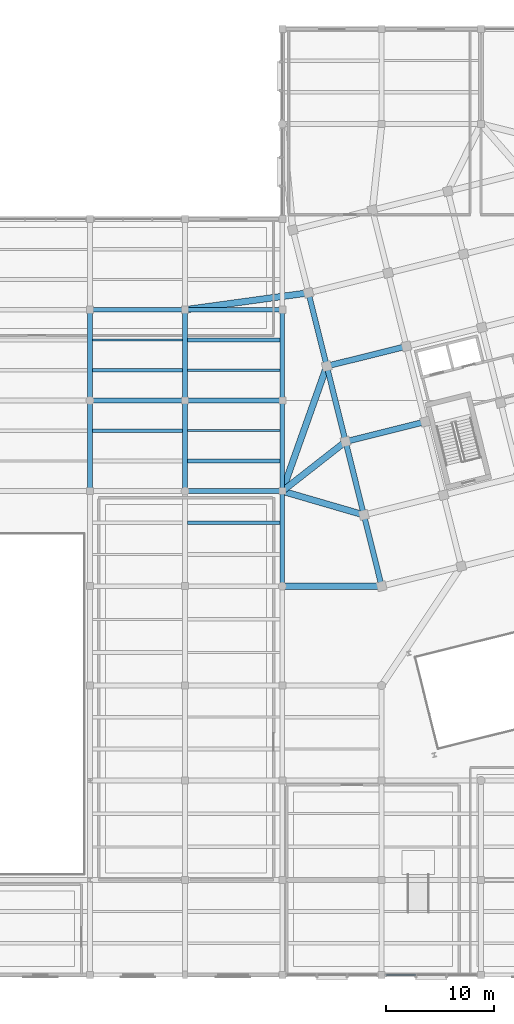
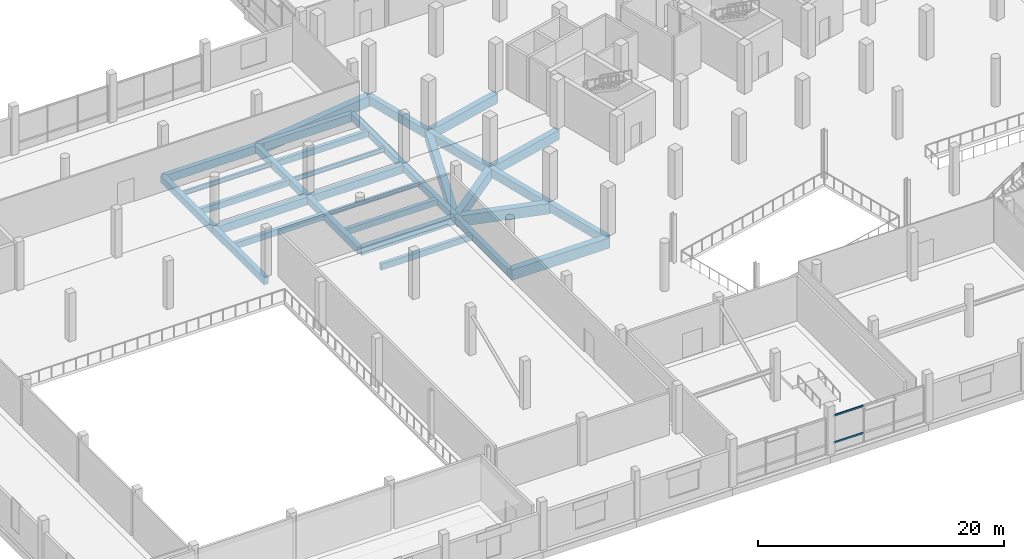
# One storey, part 13 of 71: 31 beams, 2 members, 1 element without a shape of its own.
"""IFC4 building model written with IfcOpenShell, lengths in metres."""

from ifc_helpers import new_model, si_unit, direction, frame, origin, origin_2d, place, context, subcontext, project, spatial, rectangle, hollow_rectangle, i_section, extrude, material, layer, layer_set, material_profile, profile_set, type_object, element, aggregate, save


model = new_model("IFC4")

# Units and contexts
model_context = context("Model", 3, precision=1e-05, world=origin(), true_north=direction((0.0, 1.0)))
body_context = subcontext(model_context, "Body", "Model", "MODEL_VIEW")
ifc_project = project(units=[si_unit("LENGTHUNIT", "METRE"), si_unit("AREAUNIT", "SQUARE_METRE"), si_unit("VOLUMEUNIT", "CUBIC_METRE"), si_unit("PLANEANGLEUNIT", "RADIAN"), si_unit("MASSUNIT", "GRAM", prefix="KILO")], contexts=[model_context])

# Site, building, storey
site_placement = place(None, origin())
site = spatial("IfcSite", under=ifc_project, at=site_placement, CompositionType="ELEMENT")
building_placement = place(site_placement, origin())
building = spatial("IfcBuilding", under=site, at=building_placement, Name="Meriwether Solvik Hall", CompositionType="ELEMENT")
storey_placement = place(building_placement, frame((0.0, 0.0, 5.10009765625)))
storey = spatial("IfcBuildingStorey", under=building, at=storey_placement, Name="L01", CompositionType="ELEMENT", Elevation=5.10009765625)

# Beams
ifc_material_1 = material(Name="Concrete C40/50", Category="concrete")
ifc_material_profile_1 = material_profile(ifc_material_1, rectangle(XDim=0.35009765625, YDim=0.60009765625, at=origin_2d()), Name="RCB-350X600")
ifc_profile_set_1 = profile_set([ifc_material_profile_1], Name="Concrete C40/50")
beam_type_1 = type_object("IfcBeamType", Name="BM-RC-350X600", PredefinedType="JOIST", material=ifc_profile_set_1)
for number, where, z_axis, x_axis, name in (
    (1, (41.820068359375, 55.60009765625, -0.60009765625), (1.0, 0.0, 0.0), (0.0, 1.0, 0.0), "Secondary Floor Joist 5/F_J2 (L01)"),
    (2, (41.820068359375, 61.199951171875, -0.60009765625), (1.0, 0.0, 0.0), (0.0, 1.0, 0.0), "Secondary Floor Joist 5/G_J1 (L01)"),
):
    element("IfcBeam", number, at=place(storey_placement, frame(where, z_axis=z_axis, x_axis=x_axis)), inside=storey, type_object=beam_type_1, Name=name, PredefinedType="JOIST", context=body_context, shape_type="SweptSolid", body=[
        extrude(rectangle(XDim=0.35009765625, YDim=0.60009765625, at=origin_2d()), origin(), (0.0, 0.0, 1.0), 8.35986328125),
    ])
for number, where, z_axis, x_axis, name in (
    (3, (50.6201171875, 47.066650390625, -0.60009765625), (1.0, 0.0, 0.0), (0.0, 1.0, 0.0), "Secondary Floor Joist 6/E_J2 (L01)"),
    (4, (50.6201171875, 52.800048828125, -0.60009765625), (1.0, 0.0, 0.0), (0.0, 1.0, 0.0), "Secondary Floor Joist 6/F_J1 (L01)"),
    (5, (50.6201171875, 64.0, -0.60009765625), (1.0, 0.0, 0.0), (0.0, 1.0, 0.0), "Secondary Floor Joist 6/G_J2 (L01)"),
):
    element("IfcBeam", number, at=place(storey_placement, frame(where, z_axis=z_axis, x_axis=x_axis)), inside=storey, type_object=beam_type_1, Name=name, PredefinedType="JOIST", context=body_context, shape_type="SweptSolid", body=[
        extrude(rectangle(XDim=0.35009765625, YDim=0.60009765625, at=origin_2d()), origin(), (0.0, 0.0, 1.0), 8.559814453125),
    ])
ifc_material_2 = material(Name="Concrete C40/50", Category="concrete")
ifc_material_profile_2 = material_profile(ifc_material_2, rectangle(XDim=0.449951171875, YDim=0.699951171875, at=origin_2d()), Name="RCB-450X700")
ifc_profile_set_2 = profile_set([ifc_material_profile_2], Name="Concrete C40/50")
beam_type_2 = type_object("IfcBeamType", Name="BM-RC-450X700", PredefinedType="BEAM", material=ifc_profile_set_2)
beam_1_placement = place(storey_placement, frame((41.60009765625, 50.0, -0.650146484375), z_axis=(0.0, 1.0, 0.0), x_axis=(-1.0, 0.0, 0.0)))
element("IfcBeam", 6, at=beam_1_placement, inside=storey, type_object=beam_type_2, Name="Podium Girder 5:F-G (L01)", PredefinedType="BEAM", context=body_context, shape_type="SweptSolid", body=[
    extrude(rectangle(XDim=0.449951171875, YDim=0.699951171875, at=origin_2d()), origin(), (0.0, 0.0, 1.0), 8.39990234375),
])
beam_2_placement = place(storey_placement, frame((41.60009765625, 58.39990234375, -0.650146484375), z_axis=(0.0, 1.0, 0.0), x_axis=(-1.0, 0.0, 0.0)))
element("IfcBeam", 7, at=beam_2_placement, inside=storey, type_object=beam_type_2, Name="Podium Girder 5:G-H (L01)", PredefinedType="BEAM", context=body_context, shape_type="SweptSolid", body=[
    extrude(rectangle(XDim=0.449951171875, YDim=0.699951171875, at=origin_2d()), origin(), (0.0, 0.0, 1.0), 8.400146484375),
])
beam_3_placement = place(storey_placement, frame((50.39990234375, 50.0, -0.650146484375), z_axis=(0.0, 1.0, 0.0), x_axis=(-1.0, 0.0, 0.0)))
element("IfcBeam", 8, at=beam_3_placement, inside=storey, type_object=beam_type_2, Name="Podium Girder 6:F-G (L01)", PredefinedType="BEAM", context=body_context, shape_type="SweptSolid", body=[
    extrude(rectangle(XDim=0.449951171875, YDim=0.699951171875, at=origin_2d()), origin(), (0.0, 0.0, 1.0), 8.39990234375),
])
beam_4_placement = place(storey_placement, frame((50.39990234375, 58.39990234375, -0.650146484375), z_axis=(0.0, 1.0, 0.0), x_axis=(-1.0, 0.0, 0.0)))
element("IfcBeam", 9, at=beam_4_placement, inside=storey, type_object=beam_type_2, Name="Podium Girder 6:G-H (L01)", PredefinedType="BEAM", context=body_context, shape_type="SweptSolid", body=[
    extrude(rectangle(XDim=0.449951171875, YDim=0.699951171875, at=origin_2d()), origin(), (0.0, 0.0, 1.0), 8.400146484375),
])
beam_5_placement = place(storey_placement, frame((59.39990234375, 41.199951171875, -0.650146484375), z_axis=(0.0, 1.0, 0.0), x_axis=(-1.0, 0.0, 0.0)))
element("IfcBeam", 10, at=beam_5_placement, inside=storey, type_object=beam_type_2, Name="Podium Girder 7:E-F (L01)", PredefinedType="BEAM", context=body_context, shape_type="SweptSolid", body=[
    extrude(rectangle(XDim=0.449951171875, YDim=0.699951171875, at=origin_2d()), origin(), (0.0, 0.0, 1.0), 8.800048828125),
])
beam_6_placement = place(storey_placement, frame((59.39990234375, 50.0, -0.650146484375), z_axis=(0.0, 1.0, 0.0), x_axis=(-1.0, 0.0, 0.0)))
element("IfcBeam", 11, at=beam_6_placement, inside=storey, type_object=beam_type_2, Name="Podium Girder 7:F-G (L01)", PredefinedType="BEAM", context=body_context, shape_type="SweptSolid", body=[
    extrude(rectangle(XDim=0.449951171875, YDim=0.699951171875, at=origin_2d()), origin(), (0.0, 0.0, 1.0), 8.39990234375),
])
beam_7_placement = place(storey_placement, frame((59.39990234375, 58.39990234375, -0.650146484375), z_axis=(0.0, 1.0, 0.0), x_axis=(-1.0, 0.0, 0.0)))
element("IfcBeam", 12, at=beam_7_placement, inside=storey, type_object=beam_type_2, Name="Podium Girder 7:G-H (L01)", PredefinedType="BEAM", context=body_context, shape_type="SweptSolid", body=[
    extrude(rectangle(XDim=0.449951171875, YDim=0.699951171875, at=origin_2d()), origin(), (0.0, 0.0, 1.0), 8.400146484375),
])
ifc_material_3 = material(Name="Concrete C40/50", Category="concrete")
ifc_material_profile_3 = material_profile(ifc_material_3, rectangle(XDim=0.449951171875, YDim=0.800048828125, at=origin_2d()), Name="RCB-450X800")
ifc_profile_set_3 = profile_set([ifc_material_profile_3], Name="Concrete C40/50")
beam_type_3 = type_object("IfcBeamType", Name="BM-RC-450X800", PredefinedType="BEAM", material=ifc_profile_set_3)
beam_8_placement = place(storey_placement, frame((50.39990234375, 50.0, -0.7001953125), z_axis=(1.0, 0.0, 0.0), x_axis=(0.0, 1.0, 0.0)))
element("IfcBeam", 13, at=beam_8_placement, inside=storey, type_object=beam_type_3, Name="Podium Girder F:6-7 (L01)", PredefinedType="BEAM", context=body_context, shape_type="SweptSolid", body=[
    extrude(rectangle(XDim=0.449951171875, YDim=0.800048828125, at=origin_2d()), origin(), (0.0, 0.0, 1.0), 9.0),
])
beam_9_placement = place(storey_placement, frame((41.60009765625, 58.39990234375, -0.7001953125), z_axis=(1.0, 0.0, 0.0), x_axis=(0.0, 1.0, 0.0)))
element("IfcBeam", 14, at=beam_9_placement, inside=storey, type_object=beam_type_3, Name="Podium Girder G:5-6 (L01)", PredefinedType="BEAM", context=body_context, shape_type="SweptSolid", body=[
    extrude(rectangle(XDim=0.449951171875, YDim=0.800048828125, at=origin_2d()), origin(), (0.0, 0.0, 1.0), 8.7998046875),
])
beam_10_placement = place(storey_placement, frame((50.39990234375, 58.39990234375, -0.7001953125), z_axis=(1.0, 0.0, 0.0), x_axis=(0.0, 1.0, 0.0)))
element("IfcBeam", 15, at=beam_10_placement, inside=storey, type_object=beam_type_3, Name="Podium Girder G:6-7 (L01)", PredefinedType="BEAM", context=body_context, shape_type="SweptSolid", body=[
    extrude(rectangle(XDim=0.449951171875, YDim=0.800048828125, at=origin_2d()), origin(), (0.0, 0.0, 1.0), 9.0),
])
beam_11_placement = place(storey_placement, frame((41.60009765625, 66.800048828125, -0.7001953125), z_axis=(1.0, 0.0, 0.0), x_axis=(0.0, 1.0, 0.0)))
element("IfcBeam", 16, at=beam_11_placement, inside=storey, type_object=beam_type_3, Name="Podium Girder H:5-6 (L01)", PredefinedType="BEAM", context=body_context, shape_type="SweptSolid", body=[
    extrude(rectangle(XDim=0.449951171875, YDim=0.800048828125, at=origin_2d()), origin(), (0.0, 0.0, 1.0), 8.7998046875),
])
beam_12_placement = place(storey_placement, frame((50.39990234375, 66.800048828125, -0.7001953125), z_axis=(1.0, 0.0, 0.0), x_axis=(0.0, 1.0, 0.0)))
element("IfcBeam", 17, at=beam_12_placement, inside=storey, type_object=beam_type_3, Name="Podium Girder H:6-7 (L01)", PredefinedType="BEAM", context=body_context, shape_type="SweptSolid", body=[
    extrude(rectangle(XDim=0.449951171875, YDim=0.800048828125, at=origin_2d()), origin(), (0.0, 0.0, 1.0), 9.0),
])
ifc_material_4 = material(Name="Concrete C40/50", Category="concrete")
ifc_material_profile_4 = material_profile(ifc_material_4, rectangle(XDim=0.5, YDim=0.85009765625, at=origin_2d()), Name="RCB-500X850")
ifc_profile_set_4 = profile_set([ifc_material_profile_4], Name="Concrete C40/50")
beam_type_4 = type_object("IfcBeamType", Name="BM-RC-500X850", PredefinedType="BEAM", material=ifc_profile_set_4)
beam_13_placement = place(storey_placement, frame((68.60009765625, 41.199951171875, -0.72509765625), z_axis=(-0.241944251278, 0.970290152106, 0.0), x_axis=(-0.970290152106, -0.241944251278, 0.0)))
element("IfcBeam", 18, at=beam_13_placement, inside=storey, type_object=beam_type_4, Name="Tower Girder T1:TA-TB (L01)", PredefinedType="BEAM", context=body_context, shape_type="SweptSolid", body=[
    extrude(rectangle(XDim=0.5, YDim=0.85009765625, at=origin_2d()), origin(), (0.0, 0.0, 1.0), 6.80029296875),
])
beam_14_placement = place(storey_placement, frame((66.954833984375, 47.798095703125, -0.72509765625), z_axis=(-0.241911879182, 0.970298223594, 0.0), x_axis=(-0.970298223594, -0.241911879182, 0.0)))
element("IfcBeam", 19, at=beam_14_placement, inside=storey, type_object=beam_type_4, Name="Tower Girder T1:TB-TC (L01)", PredefinedType="BEAM", context=body_context, shape_type="SweptSolid", body=[
    extrude(rectangle(XDim=0.5, YDim=0.85009765625, at=origin_2d()), origin(), (0.0, 0.0, 1.0), 7.0),
])
beam_15_placement = place(storey_placement, frame((65.261474609375, 54.590087890625, -0.72509765625), z_axis=(-0.241937193493, 0.970291911955, 0.0), x_axis=(-0.970291911955, -0.241937193493, 0.0)))
element("IfcBeam", 20, at=beam_15_placement, inside=storey, type_object=beam_type_4, Name="Tower Girder T1:TC-TD (L01)", PredefinedType="BEAM", context=body_context, shape_type="SweptSolid", body=[
    extrude(rectangle(XDim=0.5, YDim=0.85009765625, at=origin_2d()), origin(), (0.0, 0.0, 1.0), 7.199951171875),
])
beam_16_placement = place(storey_placement, frame((63.51953125, 61.576171875, -0.72509765625), z_axis=(-0.241911879182, 0.970298223594, 0.0), x_axis=(-0.970298223594, -0.241911879182, 0.0)))
element("IfcBeam", 21, at=beam_16_placement, inside=storey, type_object=beam_type_4, Name="Tower Girder T1:TD-TE (L01)", PredefinedType="BEAM", context=body_context, shape_type="SweptSolid", body=[
    extrude(rectangle(XDim=0.5, YDim=0.85009765625, at=origin_2d()), origin(), (0.0, 0.0, 1.0), 7.0),
])
ifc_material_5 = material(Name="Concrete C40/50", Category="concrete")
ifc_material_profile_5 = material_profile(ifc_material_5, rectangle(XDim=0.550048828125, YDim=0.949951171875, at=origin_2d()), Name="RCB-550X950")
ifc_profile_set_5 = profile_set([ifc_material_profile_5], Name="Concrete C40/50")
beam_type_5 = type_object("IfcBeamType", Name="BM-RC-550X950", PredefinedType="BEAM", material=ifc_profile_set_5)
for number, where, z_axis, x_axis, name in (
    (22, (65.261474609375, 54.590087890625, -0.775146484375), (0.970295366785, 0.241923337436, 0.0), (-0.241923337436, 0.970295366785, 0.0), "Tower Girder TC:T1-T2 (L01)"),
    (23, (63.51953125, 61.576171875, -0.775146484375), (0.970295366785, 0.241923337436, 0.0), (-0.241923337436, 0.970295366785, 0.0), "Tower Girder TD:T1-T2 (L01)"),
):
    element("IfcBeam", number, at=place(storey_placement, frame(where, z_axis=z_axis, x_axis=x_axis)), inside=storey, type_object=beam_type_5, Name=name, PredefinedType="BEAM", context=body_context, shape_type="SweptSolid", body=[
        extrude(rectangle(XDim=0.550048828125, YDim=0.949951171875, at=origin_2d()), origin(), (0.0, 0.0, 1.0), 7.60009765625),
    ])
ifc_material_6 = material(Name="Concrete C40/50", Category="concrete")
ifc_material_profile_6 = material_profile(ifc_material_6, rectangle(XDim=0.60009765625, YDim=1.050048828125, at=origin_2d()), Name="RCB-600X1050")
ifc_profile_set_6 = profile_set([ifc_material_profile_6], Name="Concrete C40/50")
beam_type_6 = type_object("IfcBeamType", Name="BM-RC-600X1050", PredefinedType="BEAM", material=ifc_profile_set_6)
beam_17_placement = place(storey_placement, frame((68.60009765625, 41.199951171875, -0.8251953125), z_axis=(-1.0, 0.0, 0.0), x_axis=(0.0, -1.0, 0.0)))
element("IfcBeam", 24, at=beam_17_placement, inside=storey, type_object=beam_type_6, Name="Diaphragm Collector Girder T1/TA-7/E (L01)", PredefinedType="BEAM", context=body_context, shape_type="SweptSolid", body=[
    extrude(rectangle(XDim=0.60009765625, YDim=1.050048828125, at=origin_2d()), origin(), (0.0, 0.0, 1.0), 9.2001953125),
])
beam_18_placement = place(storey_placement, frame((66.954833984375, 47.798095703125, -0.8251953125), z_axis=(-0.960055229861, 0.279810570952, 0.0), x_axis=(-0.279810570952, -0.960055229861, 0.0)))
element("IfcBeam", 25, at=beam_18_placement, inside=storey, type_object=beam_type_6, Name="Diaphragm Collector Girder T1/TB-7/F (L01)", PredefinedType="BEAM", context=body_context, shape_type="SweptSolid", body=[
    extrude(rectangle(XDim=0.60009765625, YDim=1.050048828125, at=origin_2d()), origin(), (0.0, 0.0, 1.0), 7.869384765625),
])
beam_19_placement = place(storey_placement, frame((65.261474609375, 54.590087890625, -0.8251953125), z_axis=(-0.787324356442, -0.616539015597, 0.0), x_axis=(0.616539015597, -0.787324356442, 0.0)))
element("IfcBeam", 26, at=beam_19_placement, inside=storey, type_object=beam_type_6, Name="Diaphragm Collector Girder T1/TC-7/F (L01)", PredefinedType="BEAM", context=body_context, shape_type="SweptSolid", body=[
    extrude(rectangle(XDim=0.60009765625, YDim=1.050048828125, at=origin_2d()), origin(), (0.0, 0.0, 1.0), 7.44482421875),
])
beam_20_placement = place(storey_placement, frame((63.51953125, 61.576171875, -0.8251953125), z_axis=(-0.335273852022, -0.942120716337, 0.0), x_axis=(0.942120716337, -0.335273852022, 0.0)))
element("IfcBeam", 27, at=beam_20_placement, inside=storey, type_object=beam_type_6, Name="Diaphragm Collector Girder T1/TD-7/F (L01)", PredefinedType="BEAM", context=body_context, shape_type="SweptSolid", body=[
    extrude(rectangle(XDim=0.60009765625, YDim=1.050048828125, at=origin_2d()), origin(), (0.0, 0.0, 1.0), 12.287353515625),
])
beam_21_placement = place(storey_placement, frame((61.826171875, 68.3681640625, -0.8251953125), z_axis=(-0.990713872019, -0.135963317806, 0.0), x_axis=(0.135963317806, -0.990713872019, 0.0)))
element("IfcBeam", 28, at=beam_21_placement, inside=storey, type_object=beam_type_6, Name="Diaphragm Collector Girder T1/TE-6/H (L01)", PredefinedType="BEAM", context=body_context, shape_type="SweptSolid", body=[
    extrude(rectangle(XDim=0.60009765625, YDim=1.050048828125, at=origin_2d()), origin(), (0.0, 0.0, 1.0), 11.533447265625),
])
ifc_material_7 = material(Name="Steel A992 Grade 50", Category="steel")
ifc_material_profile_7 = material_profile(ifc_material_7, i_section(OverallWidth=0.19091796875, OverallDepth=0.45703125, WebThickness=0.009033203125, FlangeThickness=0.014404296875, at=origin_2d()), Name="W18X50")
ifc_profile_set_7 = profile_set([ifc_material_profile_7], Name="Steel A992 Grade 50")
beam_type_7 = type_object("IfcBeamType", Name="BM-STL-W18X50", PredefinedType="JOIST", material=ifc_profile_set_7)
beam_22_placement = place(storey_placement, frame((41.820068359375, 64.0, -0.528564453125), z_axis=(1.0, 0.0, 0.0), x_axis=(0.0, 1.0, 0.0)))
element("IfcBeam", 29, at=beam_22_placement, inside=storey, type_object=beam_type_7, Name="Secondary Floor Joist 5/G_J2 (L01)", PredefinedType="JOIST", context=body_context, shape_type="SweptSolid", body=[
    extrude(i_section(OverallWidth=0.19091796875, OverallDepth=0.45703125, WebThickness=0.009033203125, FlangeThickness=0.014404296875, at=origin_2d()), origin(), (0.0, 0.0, 1.0), 8.35986328125),
])
for number, where, z_axis, x_axis, name in (
    (30, (50.6201171875, 55.60009765625, -0.528564453125), (1.0, 0.0, 0.0), (0.0, 1.0, 0.0), "Secondary Floor Joist 6/F_J2 (L01)"),
    (31, (50.6201171875, 61.199951171875, -0.528564453125), (1.0, 0.0, 0.0), (0.0, 1.0, 0.0), "Secondary Floor Joist 6/G_J1 (L01)"),
):
    element("IfcBeam", number, at=place(storey_placement, frame(where, z_axis=z_axis, x_axis=x_axis)), inside=storey, type_object=beam_type_7, Name=name, PredefinedType="JOIST", context=body_context, shape_type="SweptSolid", body=[
        extrude(i_section(OverallWidth=0.19091796875, OverallDepth=0.45703125, WebThickness=0.009033203125, FlangeThickness=0.014404296875, at=origin_2d()), origin(), (0.0, 0.0, 1.0), 8.559814453125),
    ])

# Curtain wall, members
ifc_material_8 = material(Name="Thermally Broken Anodised Aluminium 6063-T6 and Low-E Glass", Category="aluminium")
ifc_layer = layer(ifc_material_8, 0.179931640625)
ifc_layer_set = layer_set([ifc_layer], Name="Thermally Broken Anodised Aluminium 6063-T6 and Low-E Glass")
curtain_wall_type = type_object("IfcCurtainWallType", Name="CW-SF-POD-B", PredefinedType="USERDEFINED", material=ifc_layer_set)
curtain_wall_placement = place(storey_placement, origin())
curtain_wall = element("IfcCurtainWall", 32, at=curtain_wall_placement, inside=storey, type_object=curtain_wall_type, Name="Curtain Wall wing_XA_8_7 (L01)", ObjectType="STICK STOREFRONT GLAZING", PredefinedType="USERDEFINED")
ifc_material_9 = material(Name="Anodised Aluminium 6063-T6", Category="aluminium")
ifc_material_profile_8 = material_profile(ifc_material_9, hollow_rectangle(XDim=0.074951171875, YDim=0.169921875, WallThickness=0.005615234375, at=origin_2d()), Name="CWT-75X170")
ifc_profile_set_8 = profile_set([ifc_material_profile_8], Name="Anodised Aluminium 6063-T6")
member_type = type_object("IfcMemberType", Name="CW-TRN-75X170", PredefinedType="USERDEFINED", material=ifc_profile_set_8)
member_1_placement = place(storey_placement, frame((71.779052734375, 5.199951171875, 0.8798828125), z_axis=(-1.0, 0.0, 0.0), x_axis=(0.0, -1.0, 0.0)))
member_1 = element("IfcMember", 33, at=member_1_placement, type_object=member_type, Name="Curtain Wall Transom 3-sill", ObjectType="TRANSOM", PredefinedType="USERDEFINED", context=body_context, shape_type="SweptSolid", body=[
    extrude(hollow_rectangle(XDim=0.074951171875, YDim=0.169921875, WallThickness=0.005615234375, at=origin_2d()), origin(), (0.0, 0.0, 1.0), 2.803955078125),
])
member_2_placement = place(storey_placement, frame((71.779052734375, 5.199951171875, 3.5498046875), z_axis=(-1.0, 0.0, 0.0), x_axis=(0.0, -1.0, 0.0)))
member_2 = element("IfcMember", 34, at=member_2_placement, type_object=member_type, Name="Curtain Wall Transom 3-head", ObjectType="TRANSOM", PredefinedType="USERDEFINED", context=body_context, shape_type="SweptSolid", body=[
    extrude(hollow_rectangle(XDim=0.074951171875, YDim=0.169921875, WallThickness=0.005615234375, at=origin_2d()), origin(), (0.0, 0.0, 1.0), 2.803955078125),
])
aggregate(curtain_wall, [member_1, member_2])

save(model, "model.ifc")
